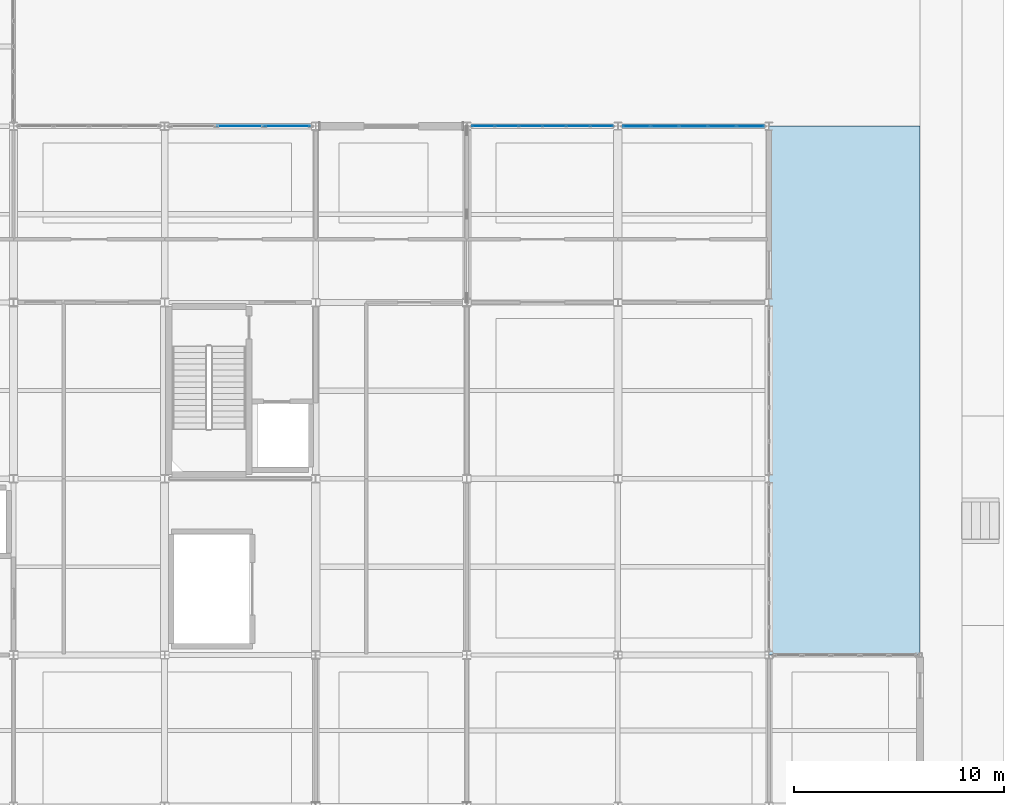
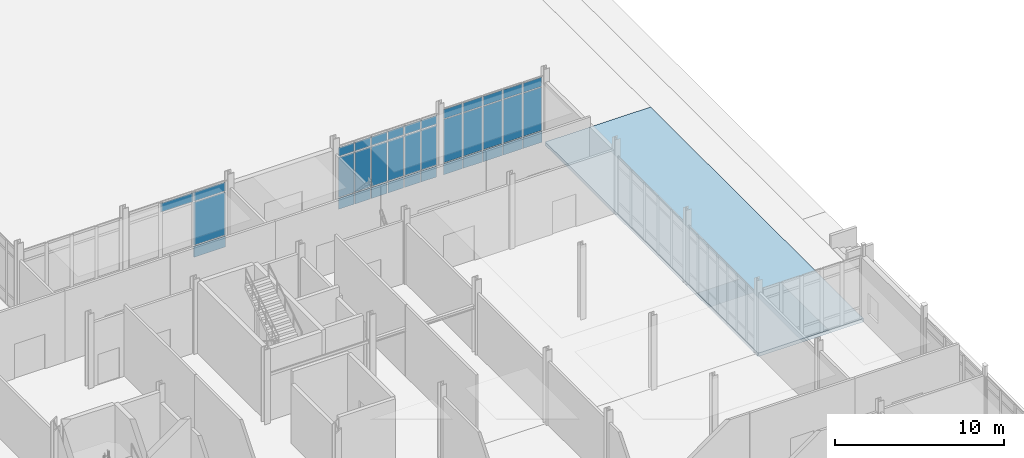
# One storey, part 156 of 229: 37 plates, 1 slab, 3 elements without a shape of their own.
"""IFC4 building model written with IfcOpenShell, lengths in metres."""

from ifc_helpers import new_model, si_unit, direction, frame, origin, origin_2d, place, context, subcontext, project, spatial, polyline, rectangle, outline, extrude, material, layer, layer_set, type_object, element, aggregate, save


model = new_model("IFC4")

# Units and contexts
model_context = context("Model", 3, precision=1e-05, world=origin(), true_north=direction((0.0, 1.0)))
body_context = subcontext(model_context, "Body", "Model", "MODEL_VIEW")
ifc_project = project(units=[si_unit("LENGTHUNIT", "METRE"), si_unit("AREAUNIT", "SQUARE_METRE"), si_unit("VOLUMEUNIT", "CUBIC_METRE"), si_unit("PLANEANGLEUNIT", "RADIAN"), si_unit("MASSUNIT", "GRAM", prefix="KILO")], contexts=[model_context])

# Site, building, storey
site_placement = place(None, origin())
site = spatial("IfcSite", under=ifc_project, at=site_placement, CompositionType="ELEMENT")
building_placement = place(site_placement, origin())
building = spatial("IfcBuilding", under=site, at=building_placement, Name="Calvrana Isthmian Art Gallery", CompositionType="ELEMENT")
storey_placement = place(building_placement, origin())
storey = spatial("IfcBuildingStorey", under=building, at=storey_placement, Name="L00", CompositionType="ELEMENT", Elevation=0.0)

# Curtain wall, plates
ifc_material_1 = material(Name="Anodized bronze aluminium 6063-T6", Category="aluminium")
ifc_layer_1 = layer(ifc_material_1, 0.179931640625, Name="Anodized bronze aluminium 6063-T6")
ifc_layer_set_1 = layer_set([ifc_layer_1], Name="Anodized bronze aluminium 6063-T6")
curtain_wall_type_1 = type_object("IfcCurtainWallType", Name="CW-UNIT-068X48", PredefinedType="USERDEFINED", material=ifc_layer_set_1)
curtain_wall_1_placement = place(storey_placement, origin())
curtain_wall_1 = element("IfcCurtainWall", 1, at=curtain_wall_1_placement, inside=storey, type_object=curtain_wall_type_1, Name="Curtain wall CW-025", ObjectType="UNITISED CURTAIN WALL", PredefinedType="USERDEFINED")
ifc_material_2 = material(Name="Polychrome glazed terracotta", Category="masonry")
ifc_layer_2 = layer(ifc_material_2, 0.033935546875, Name="Polychrome glazed terracotta")
ifc_layer_set_2 = layer_set([ifc_layer_2], Name="Polychrome glazed terracotta")
plate_type_1 = type_object("IfcPlateType", Name="CWP-SPANDREL-34", PredefinedType="CURTAIN_PANEL", material=ifc_layer_set_2)
plate_1_placement = place(storey_placement, frame((149.681884765625, 46.800048828125, 0.06005859375), z_axis=(0.0, 0.0, 1.0), x_axis=(1.0, 0.0, 0.0)))
plate_1 = element("IfcPlate", 2, at=plate_1_placement, type_object=plate_type_1, Name="CW-025 panel 1.1", PredefinedType="CURTAIN_PANEL", context=body_context, shape_type="SweptSolid", body=[
    extrude(rectangle(XDim=1.27587890625, YDim=0.033935546875, at=origin_2d()), origin(), (0.0, 0.0, 1.0), 0.81005859375),
])
plate_2_placement = place(storey_placement, frame((149.681884765625, 46.800048828125, 0.93017578125), z_axis=(0.0, 0.0, 1.0), x_axis=(1.0, 0.0, 0.0)))
plate_2 = element("IfcPlate", 3, at=plate_2_placement, type_object=plate_type_1, Name="CW-025 panel 1.2", PredefinedType="CURTAIN_PANEL", context=body_context, shape_type="SweptSolid", body=[
    extrude(rectangle(XDim=1.27587890625, YDim=0.033935546875, at=origin_2d()), origin(), (0.0, 0.0, 1.0), 3.125244140625),
])
plate_3_placement = place(storey_placement, frame((149.681884765625, 46.800048828125, 4.115234375), z_axis=(0.0, 0.0, 1.0), x_axis=(1.0, 0.0, 0.0)))
plate_3 = element("IfcPlate", 4, at=plate_3_placement, type_object=plate_type_1, Name="CW-025 panel 1.3", PredefinedType="CURTAIN_PANEL", context=body_context, shape_type="SweptSolid", body=[
    extrude(rectangle(XDim=1.27587890625, YDim=0.033935546875, at=origin_2d()), origin(), (0.0, 0.0, 1.0), 0.659912109375),
])
plate_4_placement = place(storey_placement, frame((151.032958984375, 46.800048828125, 0.06005859375), z_axis=(0.0, 0.0, 1.0), x_axis=(1.0, 0.0, 0.0)))
plate_4 = element("IfcPlate", 5, at=plate_4_placement, type_object=plate_type_1, Name="CW-025 panel 2.1", PredefinedType="CURTAIN_PANEL", context=body_context, shape_type="SweptSolid", body=[
    extrude(rectangle(XDim=1.305908203125, YDim=0.033935546875, at=origin_2d()), origin(), (0.0, 0.0, 1.0), 0.81005859375),
])
plate_5_placement = place(storey_placement, frame((151.032958984375, 46.800048828125, 0.93017578125), z_axis=(0.0, 0.0, 1.0), x_axis=(1.0, 0.0, 0.0)))
plate_5 = element("IfcPlate", 6, at=plate_5_placement, type_object=plate_type_1, Name="CW-025 panel 2.2", PredefinedType="CURTAIN_PANEL", context=body_context, shape_type="SweptSolid", body=[
    extrude(rectangle(XDim=1.305908203125, YDim=0.033935546875, at=origin_2d()), origin(), (0.0, 0.0, 1.0), 3.125244140625),
])
plate_6_placement = place(storey_placement, frame((151.032958984375, 46.800048828125, 4.115234375), z_axis=(0.0, 0.0, 1.0), x_axis=(1.0, 0.0, 0.0)))
plate_6 = element("IfcPlate", 7, at=plate_6_placement, type_object=plate_type_1, Name="CW-025 panel 2.3", PredefinedType="CURTAIN_PANEL", context=body_context, shape_type="SweptSolid", body=[
    extrude(rectangle(XDim=1.305908203125, YDim=0.033935546875, at=origin_2d()), origin(), (0.0, 0.0, 1.0), 0.659912109375),
])
plate_7_placement = place(storey_placement, frame((152.398681640625, 46.800048828125, 0.06005859375), z_axis=(0.0, 0.0, 1.0), x_axis=(1.0, 0.0, 0.0)))
plate_7 = element("IfcPlate", 8, at=plate_7_placement, type_object=plate_type_1, Name="CW-025 panel 3.1", PredefinedType="CURTAIN_PANEL", context=body_context, shape_type="SweptSolid", body=[
    extrude(rectangle(XDim=1.305908203125, YDim=0.033935546875, at=origin_2d()), origin(), (0.0, 0.0, 1.0), 0.81005859375),
])
plate_8_placement = place(storey_placement, frame((152.398681640625, 46.800048828125, 0.93017578125), z_axis=(0.0, 0.0, 1.0), x_axis=(1.0, 0.0, 0.0)))
plate_8 = element("IfcPlate", 9, at=plate_8_placement, type_object=plate_type_1, Name="CW-025 panel 3.2", PredefinedType="CURTAIN_PANEL", context=body_context, shape_type="SweptSolid", body=[
    extrude(rectangle(XDim=1.305908203125, YDim=0.033935546875, at=origin_2d()), origin(), (0.0, 0.0, 1.0), 3.125244140625),
])
plate_9_placement = place(storey_placement, frame((152.398681640625, 46.800048828125, 4.115234375), z_axis=(0.0, 0.0, 1.0), x_axis=(1.0, 0.0, 0.0)))
plate_9 = element("IfcPlate", 10, at=plate_9_placement, type_object=plate_type_1, Name="CW-025 panel 3.3", PredefinedType="CURTAIN_PANEL", context=body_context, shape_type="SweptSolid", body=[
    extrude(rectangle(XDim=1.305908203125, YDim=0.033935546875, at=origin_2d()), origin(), (0.0, 0.0, 1.0), 0.659912109375),
])
plate_10_placement = place(storey_placement, frame((153.7646484375, 46.800048828125, 0.06005859375), z_axis=(0.0, 0.0, 1.0), x_axis=(1.0, 0.0, 0.0)))
plate_10 = element("IfcPlate", 11, at=plate_10_placement, type_object=plate_type_1, Name="CW-025 panel 4.1", PredefinedType="CURTAIN_PANEL", context=body_context, shape_type="SweptSolid", body=[
    extrude(rectangle(XDim=1.305908203125, YDim=0.033935546875, at=origin_2d()), origin(), (0.0, 0.0, 1.0), 0.81005859375),
])
plate_11_placement = place(storey_placement, frame((153.7646484375, 46.800048828125, 0.93017578125), z_axis=(0.0, 0.0, 1.0), x_axis=(1.0, 0.0, 0.0)))
plate_11 = element("IfcPlate", 12, at=plate_11_placement, type_object=plate_type_1, Name="CW-025 panel 4.2", PredefinedType="CURTAIN_PANEL", context=body_context, shape_type="SweptSolid", body=[
    extrude(rectangle(XDim=1.305908203125, YDim=0.033935546875, at=origin_2d()), origin(), (0.0, 0.0, 1.0), 3.125244140625),
])
plate_12_placement = place(storey_placement, frame((153.7646484375, 46.800048828125, 4.115234375), z_axis=(0.0, 0.0, 1.0), x_axis=(1.0, 0.0, 0.0)))
plate_12 = element("IfcPlate", 13, at=plate_12_placement, type_object=plate_type_1, Name="CW-025 panel 4.3", PredefinedType="CURTAIN_PANEL", context=body_context, shape_type="SweptSolid", body=[
    extrude(rectangle(XDim=1.305908203125, YDim=0.033935546875, at=origin_2d()), origin(), (0.0, 0.0, 1.0), 0.659912109375),
])
plate_13_placement = place(storey_placement, frame((155.115478515625, 46.800048828125, 0.06005859375), z_axis=(0.0, 0.0, 1.0), x_axis=(1.0, 0.0, 0.0)))
plate_13 = element("IfcPlate", 14, at=plate_13_placement, type_object=plate_type_1, Name="CW-025 panel 5.1", PredefinedType="CURTAIN_PANEL", context=body_context, shape_type="SweptSolid", body=[
    extrude(rectangle(XDim=1.27587890625, YDim=0.033935546875, at=origin_2d()), origin(), (0.0, 0.0, 1.0), 0.81005859375),
])
plate_14_placement = place(storey_placement, frame((155.115478515625, 46.800048828125, 0.93017578125), z_axis=(0.0, 0.0, 1.0), x_axis=(1.0, 0.0, 0.0)))
plate_14 = element("IfcPlate", 15, at=plate_14_placement, type_object=plate_type_1, Name="CW-025 panel 5.2", PredefinedType="CURTAIN_PANEL", context=body_context, shape_type="SweptSolid", body=[
    extrude(rectangle(XDim=1.27587890625, YDim=0.033935546875, at=origin_2d()), origin(), (0.0, 0.0, 1.0), 3.125244140625),
])
plate_15_placement = place(storey_placement, frame((155.115478515625, 46.800048828125, 4.115234375), z_axis=(0.0, 0.0, 1.0), x_axis=(1.0, 0.0, 0.0)))
plate_15 = element("IfcPlate", 16, at=plate_15_placement, type_object=plate_type_1, Name="CW-025 panel 5.3", PredefinedType="CURTAIN_PANEL", context=body_context, shape_type="SweptSolid", body=[
    extrude(rectangle(XDim=1.27587890625, YDim=0.033935546875, at=origin_2d()), origin(), (0.0, 0.0, 1.0), 0.659912109375),
])
aggregate(curtain_wall_1, [plate_1, plate_2, plate_3, plate_4, plate_5, plate_6, plate_7, plate_8, plate_9, plate_10, plate_11, plate_12, plate_13, plate_14, plate_15])

curtain_wall_2_placement = place(storey_placement, origin())
curtain_wall_2 = element("IfcCurtainWall", 17, at=curtain_wall_2_placement, inside=storey, type_object=curtain_wall_type_1, Name="Curtain wall CW-023", ObjectType="UNITISED CURTAIN WALL", PredefinedType="USERDEFINED")
ifc_material_3 = material(Name="Low-E laminated solar glass", Category="glass")
ifc_layer_3 = layer(ifc_material_3, 0.028076171875, Name="Low-E laminated solar glass")
ifc_layer_set_3 = layer_set([ifc_layer_3], Name="Low-E laminated solar glass")
plate_type_2 = type_object("IfcPlateType", Name="CWP-VISION-28", PredefinedType="CURTAIN_PANEL", material=ifc_layer_set_3)
plate_16_placement = place(storey_placement, frame((130.798828125, 46.800048828125, 4.1201171875), z_axis=(0.0, 0.0, 1.0), x_axis=(1.0, 0.0, 0.0)))
plate_16 = element("IfcPlate", 18, at=plate_16_placement, type_object=plate_type_2, Name="CW-023 panel 2.3", PredefinedType="CURTAIN_PANEL", context=body_context, shape_type="SweptSolid", body=[
    extrude(rectangle(XDim=2.186279296875, YDim=0.028076171875, at=origin_2d()), origin(), (0.0, 0.0, 1.0), 0.64501953125),
])
plate_17_placement = place(storey_placement, frame((133.044921875, 46.800048828125, 0.070068359375), z_axis=(0.0, 0.0, 1.0), x_axis=(1.0, 0.0, 0.0)))
plate_17 = element("IfcPlate", 19, at=plate_17_placement, type_object=plate_type_2, Name="CW-023 panel 3.1", PredefinedType="CURTAIN_PANEL", context=body_context, shape_type="SweptSolid", body=[
    extrude(rectangle(XDim=2.146240234375, YDim=0.028076171875, at=origin_2d()), origin(), (0.0, 0.0, 1.0), 0.794921875),
])
plate_18_placement = place(storey_placement, frame((133.044921875, 46.800048828125, 0.93505859375), z_axis=(0.0, 0.0, 1.0), x_axis=(1.0, 0.0, 0.0)))
plate_18 = element("IfcPlate", 20, at=plate_18_placement, type_object=plate_type_2, Name="CW-023 panel 3.2", PredefinedType="CURTAIN_PANEL", context=body_context, shape_type="SweptSolid", body=[
    extrude(rectangle(XDim=2.146240234375, YDim=0.028076171875, at=origin_2d()), origin(), (0.0, 0.0, 1.0), 3.115234375),
])
plate_19_placement = place(storey_placement, frame((133.044921875, 46.800048828125, 4.1201171875), z_axis=(0.0, 0.0, 1.0), x_axis=(1.0, 0.0, 0.0)))
plate_19 = element("IfcPlate", 21, at=plate_19_placement, type_object=plate_type_2, Name="CW-023 panel 3.3", PredefinedType="CURTAIN_PANEL", context=body_context, shape_type="SweptSolid", body=[
    extrude(rectangle(XDim=2.146240234375, YDim=0.028076171875, at=origin_2d()), origin(), (0.0, 0.0, 1.0), 0.64501953125),
])
aggregate(curtain_wall_2, [plate_16, plate_17, plate_18, plate_19])

ifc_layer_4 = layer(ifc_material_1, 0.179931640625, Name="Anodized bronze aluminium 6063-T6")
ifc_layer_set_4 = layer_set([ifc_layer_4], Name="Anodized bronze aluminium 6063-T6")
curtain_wall_type_2 = type_object("IfcCurtainWallType", Name="CW-UNIT-068X46", PredefinedType="USERDEFINED", material=ifc_layer_set_4)
curtain_wall_3_placement = place(storey_placement, origin())
curtain_wall_3 = element("IfcCurtainWall", 22, at=curtain_wall_3_placement, inside=storey, type_object=curtain_wall_type_2, Name="Curtain wall CW-024", ObjectType="UNITISED CURTAIN WALL", PredefinedType="USERDEFINED")
plate_20_placement = place(storey_placement, frame((142.382568359375, 46.800048828125, 0.074951171875), z_axis=(0.0, 0.0, 1.0), x_axis=(1.0, 0.0, 0.0)))
plate_20 = element("IfcPlate", 23, at=plate_20_placement, type_object=plate_type_2, Name="CW-024 panel 1.1", PredefinedType="CURTAIN_PANEL", context=body_context, shape_type="SweptSolid", body=[
    extrude(rectangle(XDim=1.046142578125, YDim=0.028076171875, at=origin_2d()), origin(), (0.0, 0.0, 1.0), 0.78759765625),
])
plate_21_placement = place(storey_placement, frame((142.382568359375, 46.800048828125, 0.9375), z_axis=(0.0, 0.0, 1.0), x_axis=(1.0, 0.0, 0.0)))
plate_21 = element("IfcPlate", 24, at=plate_21_placement, type_object=plate_type_2, Name="CW-024 panel 1.2", PredefinedType="CURTAIN_PANEL", context=body_context, shape_type="SweptSolid", body=[
    extrude(rectangle(XDim=1.046142578125, YDim=0.028076171875, at=origin_2d()), origin(), (0.0, 0.0, 1.0), 2.882080078125),
])
plate_22_placement = place(storey_placement, frame((142.382568359375, 46.800048828125, 3.89453125), z_axis=(0.0, 0.0, 1.0), x_axis=(1.0, 0.0, 0.0)))
plate_22 = element("IfcPlate", 25, at=plate_22_placement, type_object=plate_type_2, Name="CW-024 panel 1.3", PredefinedType="CURTAIN_PANEL", context=body_context, shape_type="SweptSolid", body=[
    extrude(rectangle(XDim=1.046142578125, YDim=0.028076171875, at=origin_2d()), origin(), (0.0, 0.0, 1.0), 0.637451171875),
])
plate_23_placement = place(storey_placement, frame((143.503662109375, 46.800048828125, 0.074951171875), z_axis=(0.0, 0.0, 1.0), x_axis=(1.0, 0.0, 0.0)))
plate_23 = element("IfcPlate", 26, at=plate_23_placement, type_object=plate_type_2, Name="CW-024 panel 2.1", PredefinedType="CURTAIN_PANEL", context=body_context, shape_type="SweptSolid", body=[
    extrude(rectangle(XDim=1.076171875, YDim=0.028076171875, at=origin_2d()), origin(), (0.0, 0.0, 1.0), 0.78759765625),
])
plate_24_placement = place(storey_placement, frame((143.503662109375, 46.800048828125, 0.9375), z_axis=(0.0, 0.0, 1.0), x_axis=(1.0, 0.0, 0.0)))
plate_24 = element("IfcPlate", 27, at=plate_24_placement, type_object=plate_type_2, Name="CW-024 panel 2.2", PredefinedType="CURTAIN_PANEL", context=body_context, shape_type="SweptSolid", body=[
    extrude(rectangle(XDim=1.076171875, YDim=0.028076171875, at=origin_2d()), origin(), (0.0, 0.0, 1.0), 2.882080078125),
])
plate_25_placement = place(storey_placement, frame((143.503662109375, 46.800048828125, 3.89453125), z_axis=(0.0, 0.0, 1.0), x_axis=(1.0, 0.0, 0.0)))
plate_25 = element("IfcPlate", 28, at=plate_25_placement, type_object=plate_type_2, Name="CW-024 panel 2.3", PredefinedType="CURTAIN_PANEL", context=body_context, shape_type="SweptSolid", body=[
    extrude(rectangle(XDim=1.076171875, YDim=0.028076171875, at=origin_2d()), origin(), (0.0, 0.0, 1.0), 0.637451171875),
])
plate_26_placement = place(storey_placement, frame((144.6396484375, 46.800048828125, 0.074951171875), z_axis=(0.0, 0.0, 1.0), x_axis=(1.0, 0.0, 0.0)))
plate_26 = element("IfcPlate", 29, at=plate_26_placement, type_object=plate_type_2, Name="CW-024 panel 3.1", PredefinedType="CURTAIN_PANEL", context=body_context, shape_type="SweptSolid", body=[
    extrude(rectangle(XDim=1.076171875, YDim=0.028076171875, at=origin_2d()), origin(), (0.0, 0.0, 1.0), 0.78759765625),
])
plate_27_placement = place(storey_placement, frame((144.6396484375, 46.800048828125, 0.9375), z_axis=(0.0, 0.0, 1.0), x_axis=(1.0, 0.0, 0.0)))
plate_27 = element("IfcPlate", 30, at=plate_27_placement, type_object=plate_type_2, Name="CW-024 panel 3.2", PredefinedType="CURTAIN_PANEL", context=body_context, shape_type="SweptSolid", body=[
    extrude(rectangle(XDim=1.076171875, YDim=0.028076171875, at=origin_2d()), origin(), (0.0, 0.0, 1.0), 2.882080078125),
])
plate_28_placement = place(storey_placement, frame((144.6396484375, 46.800048828125, 3.89453125), z_axis=(0.0, 0.0, 1.0), x_axis=(1.0, 0.0, 0.0)))
plate_28 = element("IfcPlate", 31, at=plate_28_placement, type_object=plate_type_2, Name="CW-024 panel 3.3", PredefinedType="CURTAIN_PANEL", context=body_context, shape_type="SweptSolid", body=[
    extrude(rectangle(XDim=1.076171875, YDim=0.028076171875, at=origin_2d()), origin(), (0.0, 0.0, 1.0), 0.637451171875),
])
plate_29_placement = place(storey_placement, frame((145.77587890625, 46.800048828125, 0.074951171875), z_axis=(0.0, 0.0, 1.0), x_axis=(1.0, 0.0, 0.0)))
plate_29 = element("IfcPlate", 32, at=plate_29_placement, type_object=plate_type_2, Name="CW-024 panel 4.1", PredefinedType="CURTAIN_PANEL", context=body_context, shape_type="SweptSolid", body=[
    extrude(rectangle(XDim=1.076171875, YDim=0.028076171875, at=origin_2d()), origin(), (0.0, 0.0, 1.0), 0.78759765625),
])
plate_30_placement = place(storey_placement, frame((145.77587890625, 46.800048828125, 0.9375), z_axis=(0.0, 0.0, 1.0), x_axis=(1.0, 0.0, 0.0)))
plate_30 = element("IfcPlate", 33, at=plate_30_placement, type_object=plate_type_2, Name="CW-024 panel 4.2", PredefinedType="CURTAIN_PANEL", context=body_context, shape_type="SweptSolid", body=[
    extrude(rectangle(XDim=1.076171875, YDim=0.028076171875, at=origin_2d()), origin(), (0.0, 0.0, 1.0), 2.882080078125),
])
plate_31_placement = place(storey_placement, frame((145.77587890625, 46.800048828125, 3.89453125), z_axis=(0.0, 0.0, 1.0), x_axis=(1.0, 0.0, 0.0)))
plate_31 = element("IfcPlate", 34, at=plate_31_placement, type_object=plate_type_2, Name="CW-024 panel 4.3", PredefinedType="CURTAIN_PANEL", context=body_context, shape_type="SweptSolid", body=[
    extrude(rectangle(XDim=1.076171875, YDim=0.028076171875, at=origin_2d()), origin(), (0.0, 0.0, 1.0), 0.637451171875),
])
plate_32_placement = place(storey_placement, frame((146.911865234375, 46.800048828125, 0.074951171875), z_axis=(0.0, 0.0, 1.0), x_axis=(1.0, 0.0, 0.0)))
plate_32 = element("IfcPlate", 35, at=plate_32_placement, type_object=plate_type_2, Name="CW-024 panel 5.1", PredefinedType="CURTAIN_PANEL", context=body_context, shape_type="SweptSolid", body=[
    extrude(rectangle(XDim=1.076171875, YDim=0.028076171875, at=origin_2d()), origin(), (0.0, 0.0, 1.0), 0.78759765625),
])
plate_33_placement = place(storey_placement, frame((146.911865234375, 46.800048828125, 0.9375), z_axis=(0.0, 0.0, 1.0), x_axis=(1.0, 0.0, 0.0)))
plate_33 = element("IfcPlate", 36, at=plate_33_placement, type_object=plate_type_2, Name="CW-024 panel 5.2", PredefinedType="CURTAIN_PANEL", context=body_context, shape_type="SweptSolid", body=[
    extrude(rectangle(XDim=1.076171875, YDim=0.028076171875, at=origin_2d()), origin(), (0.0, 0.0, 1.0), 2.882080078125),
])
plate_34_placement = place(storey_placement, frame((146.911865234375, 46.800048828125, 3.89453125), z_axis=(0.0, 0.0, 1.0), x_axis=(1.0, 0.0, 0.0)))
plate_34 = element("IfcPlate", 37, at=plate_34_placement, type_object=plate_type_2, Name="CW-024 panel 5.3", PredefinedType="CURTAIN_PANEL", context=body_context, shape_type="SweptSolid", body=[
    extrude(rectangle(XDim=1.076171875, YDim=0.028076171875, at=origin_2d()), origin(), (0.0, 0.0, 1.0), 0.637451171875),
])
plate_35_placement = place(storey_placement, frame((148.032958984375, 46.800048828125, 0.074951171875), z_axis=(0.0, 0.0, 1.0), x_axis=(1.0, 0.0, 0.0)))
plate_35 = element("IfcPlate", 38, at=plate_35_placement, type_object=plate_type_2, Name="CW-024 panel 6.1", PredefinedType="CURTAIN_PANEL", context=body_context, shape_type="SweptSolid", body=[
    extrude(rectangle(XDim=1.046142578125, YDim=0.028076171875, at=origin_2d()), origin(), (0.0, 0.0, 1.0), 0.78759765625),
])
plate_36_placement = place(storey_placement, frame((148.032958984375, 46.800048828125, 0.9375), z_axis=(0.0, 0.0, 1.0), x_axis=(1.0, 0.0, 0.0)))
plate_36 = element("IfcPlate", 39, at=plate_36_placement, type_object=plate_type_2, Name="CW-024 panel 6.2", PredefinedType="CURTAIN_PANEL", context=body_context, shape_type="SweptSolid", body=[
    extrude(rectangle(XDim=1.046142578125, YDim=0.028076171875, at=origin_2d()), origin(), (0.0, 0.0, 1.0), 2.882080078125),
])
plate_37_placement = place(storey_placement, frame((148.032958984375, 46.800048828125, 3.89453125), z_axis=(0.0, 0.0, 1.0), x_axis=(1.0, 0.0, 0.0)))
plate_37 = element("IfcPlate", 40, at=plate_37_placement, type_object=plate_type_2, Name="CW-024 panel 6.3", PredefinedType="CURTAIN_PANEL", context=body_context, shape_type="SweptSolid", body=[
    extrude(rectangle(XDim=1.046142578125, YDim=0.028076171875, at=origin_2d()), origin(), (0.0, 0.0, 1.0), 0.637451171875),
])
aggregate(curtain_wall_3, [plate_20, plate_21, plate_22, plate_23, plate_24, plate_25, plate_26, plate_27, plate_28, plate_29, plate_30, plate_31, plate_32, plate_33, plate_34, plate_35, plate_36, plate_37])

# Slab
ifc_material_4 = material(Name="Concrete C40/50", Category="concrete")
ifc_layer_5 = layer(ifc_material_4, 0.199951171875, Name="Concrete C40/50")
ifc_layer_set_5 = layer_set([ifc_layer_5], Name="Concrete C40/50")
slab_type = type_object("IfcSlabType", Name="SLB-TER-200", PredefinedType="FLOOR", material=ifc_layer_set_5)
slab_placement = place(storey_placement, frame((0.0, 0.0, -0.25)))
element("IfcSlab", 41, at=slab_placement, inside=storey, type_object=slab_type, Name="Courtyard and entry plaza deck SLB_APR_ECORT_S", PredefinedType="FLOOR", context=body_context, shape_type="SweptSolid", body=[
    extrude(outline(polyline([(163.199951171875, 21.60009765625), (163.199951171875, 46.800048828125), (156.0, 46.800048828125), (156.0, 21.60009765625), (163.199951171875, 21.60009765625)])), origin(), (0.0, 0.0, 1.0), 0.25),
])

save(model, "model.ifc")
